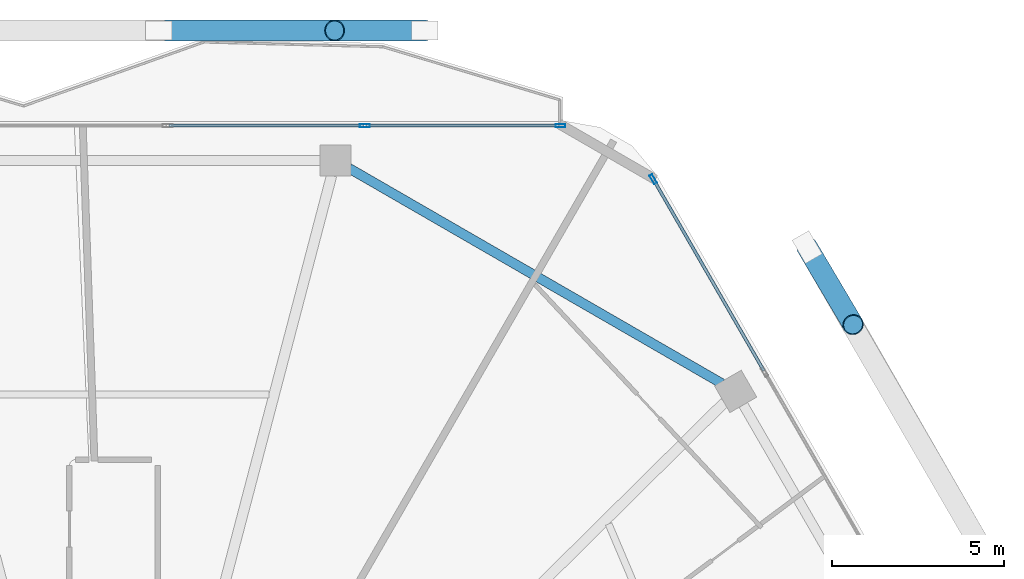
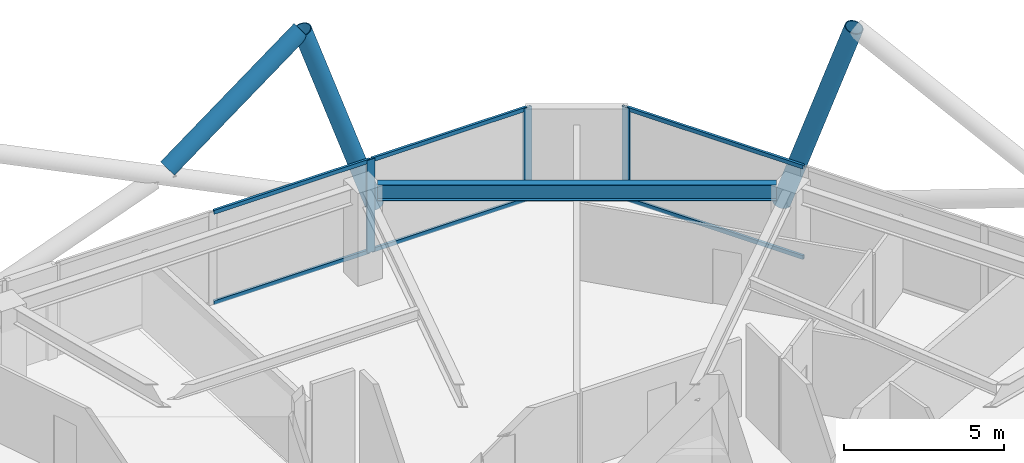
# One storey, part 18 of 26: 12 members, 1 beam, 2 elements without a shape of their own.
"""IFC4 building model written with IfcOpenShell, lengths in metres."""

import ifcopenshell
import ifcopenshell.guid

model = None  # the IFC model being written
_history = None  # IfcOwnerHistory: only IFC2X3 demands one
_inside = {}  # id of a spatial element -> (the spatial element, [elements in it])
_under = {}  # id of a project, library or spatial element -> (it, [spatial elements below it])
_declared = {}  # id of a project -> (the project, [libraries it declares])
_typed = {}  # id of a type object -> (the type object, [elements of that type])
_made_of = {}  # id of a material, layer set ... -> (it, [elements and type objects made of it])


def new_model(schema):
    """Start an empty IFC model of exactly this schema.

    Asked for "IFC4X3", IfcOpenShell would pick the latest addendum, in which some entities
    have other attributes; the version numbers below select the first issue.
    IFC2X3 requires an IfcOwnerHistory on every rooted entity: one is made here for all.
    """
    global model, _history
    if schema == "IFC4X3":
        model = ifcopenshell.file(schema_version=(4, 3, 0, 0))
    else:
        model = ifcopenshell.file(schema=schema)
    _inside.clear()
    _under.clear()
    _declared.clear()
    _typed.clear()
    _made_of.clear()
    _history = None
    if model.schema == "IFC2X3":
        org = make("IfcOrganization", Name="unknown")
        user = make(
            "IfcPersonAndOrganization",
            ThePerson=make("IfcPerson", FamilyName="unknown"),
            TheOrganization=org,
        )
        app = make(
            "IfcApplication",
            ApplicationDeveloper=org,
            Version="unknown",
            ApplicationFullName="unknown",
            ApplicationIdentifier="unknown",
        )
        _history = make(
            "IfcOwnerHistory",
            OwningUser=user,
            OwningApplication=app,
            ChangeAction="ADDED",
            CreationDate=0,
        )
    return model


def make(cls, **values):
    """One entity of the class cls with the attributes given. An attribute that is None is left unset."""
    return model.create_entity(
        cls, **{name: value for name, value in values.items() if value is not None}
    )


def rooted(cls, **values):
    """An entity with a GlobalId (a new one), such as an element, a storey or a relation."""
    return make(cls, GlobalId=ifcopenshell.guid.new(), OwnerHistory=_history, **values)


def si_unit(unit_type, name, prefix=None):
    """IfcSIUnit, for example si_unit("LENGTHUNIT", "METRE", prefix="MILLI")."""
    return make("IfcSIUnit", UnitType=unit_type, Prefix=prefix, Name=name)


def assignment(units):
    """IfcUnitAssignment: the units of a project."""
    return None if units is None else make("IfcUnitAssignment", Units=units)


def point(xyz):
    """IfcCartesianPoint."""
    return None if xyz is None else make("IfcCartesianPoint", Coordinates=xyz)


def direction(xyz):
    """IfcDirection."""
    return None if xyz is None else make("IfcDirection", DirectionRatios=xyz)


def frame(location, z_axis=None, x_axis=None):
    """IfcAxis2Placement3D, a coordinate frame: its origin and axes. An axis left out is left unset."""
    return make(
        "IfcAxis2Placement3D",
        Location=point(location),
        Axis=direction(z_axis),
        RefDirection=direction(x_axis),
    )


def frame_2d(location, x_axis=None):
    """IfcAxis2Placement2D, a coordinate frame in the plane: its origin and x axis."""
    return make(
        "IfcAxis2Placement2D", Location=point(location), RefDirection=direction(x_axis)
    )


def origin():
    """The frame at (0, 0, 0) with its axes left unset."""
    return frame((0.0, 0.0, 0.0))


def origin_2d():
    """The frame at (0, 0) in the plane with its x axis left unset."""
    return frame_2d((0.0, 0.0))


def place(relative_to, where):
    """IfcLocalPlacement: puts the frame where relative to a parent placement (None: the world)."""
    return make(
        "IfcLocalPlacement", PlacementRelTo=relative_to, RelativePlacement=where
    )


def context(
    kind, dimensions, precision=None, world=None, true_north=None, identifier=None
):
    """IfcGeometricRepresentationContext, for example the 3D "Model" context."""
    return make(
        "IfcGeometricRepresentationContext",
        ContextIdentifier=identifier,
        ContextType=kind,
        CoordinateSpaceDimension=dimensions,
        Precision=precision,
        WorldCoordinateSystem=world,
        TrueNorth=true_north,
    )


def subcontext(parent, identifier, kind, view, scale=None):
    """IfcGeometricRepresentationSubContext, for example "Body" below "Model"."""
    return make(
        "IfcGeometricRepresentationSubContext",
        ContextIdentifier=identifier,
        ContextType=kind,
        ParentContext=parent,
        TargetScale=scale,
        TargetView=view,
    )


def project(units=None, contexts=None):
    """IfcProject with its units and contexts."""
    return rooted(
        "IfcProject",
        Name="project",
        RepresentationContexts=contexts,
        UnitsInContext=assignment(units),
    )


def spatial(cls, under=None, at=None, **own):
    """A site, building, storey or space (cls), placed at a placement, below another one or the project."""
    s = rooted(cls, ObjectPlacement=at, **own)
    if under is not None:
        _under.setdefault(under.id(), (under, []))[1].append(s)
    return s


def profile(cls, at=None, kind="AREA", **sizes):
    """A parametric profile (cls). Its sizes go by their IFC names, for example OverallWidth=200.0."""
    return make(cls, ProfileType=kind, Position=at, **sizes)


def hollow_rectangle(**sizes):
    """IfcRectangleHollowProfileDef."""
    return profile("IfcRectangleHollowProfileDef", **sizes)


def hollow_circle(**sizes):
    """IfcCircleHollowProfileDef."""
    return profile("IfcCircleHollowProfileDef", **sizes)


def i_section(**sizes):
    """IfcIShapeProfileDef."""
    return profile("IfcIShapeProfileDef", **sizes)


def extrude(swept, where, along, depth):
    """IfcExtrudedAreaSolid: the profile swept, set in the frame where, extruded along a direction by depth."""
    return make(
        "IfcExtrudedAreaSolid",
        SweptArea=swept,
        Position=where,
        ExtrudedDirection=direction(along),
        Depth=depth,
    )


def shape(context_of_items, identifier, shape_type, items):
    """IfcShapeRepresentation: the items that make up one representation, for example the "Body"."""
    return make(
        "IfcShapeRepresentation",
        ContextOfItems=context_of_items,
        RepresentationIdentifier=identifier,
        RepresentationType=shape_type,
        Items=items,
    )


def material(Name=None, Category=None):
    """IfcMaterial."""
    return make("IfcMaterial", Name=Name, Category=Category)


def material_profile(
    of_material, cross_section, Name=None, Category=None, Priority=None
):
    """IfcMaterialProfile: a cross section and its material."""
    return make(
        "IfcMaterialProfile",
        Name=Name,
        Material=of_material,
        Profile=cross_section,
        Priority=Priority,
        Category=Category,
    )


def profile_set(profiles, Name=None, composite=None):
    """IfcMaterialProfileSet."""
    return make(
        "IfcMaterialProfileSet",
        Name=Name,
        MaterialProfiles=profiles,
        CompositeProfile=composite,
    )


def made_of(thing, what):
    """Note that an element or type object is made of a material, layer set ...; save() writes the relation."""
    if what is not None:
        _made_of.setdefault(what.id(), (what, []))[1].append(thing)
    return thing


def type_object(cls, material=None, **own):
    """A type object (cls), such as IfcWallType, which elements share."""
    return made_of(rooted(cls, **own), material)


def element(
    cls,
    number,
    at=None,
    inside=None,
    cuts=None,
    type_object=None,
    material=None,
    context=None,
    identifier="Body",
    shape_type=None,
    held_by="IfcProductDefinitionShape",
    body=None,
    shapes=None,
    **own,
):
    """One element of the class cls, such as IfcWall. Its Tag is "e" and its number.

    at: its placement. inside: the storey or other place that contains it. cuts: it is an
    opening in that element (IfcRelVoidsElement). A single representation is given by context,
    identifier, shape_type and body (its items); several are given by shapes. held_by: the class
    of the entity that holds the representations. save() writes the other relations.
    """
    e = rooted(cls, Tag="e%d" % number, ObjectPlacement=at, **own)
    if body is not None:
        shapes = [shape(context, identifier, shape_type, body)]
    if shapes is not None:
        e.Representation = make(held_by, Representations=shapes)
    if inside is not None:
        _inside.setdefault(inside.id(), (inside, []))[1].append(e)
    if cuts is not None:
        rooted(
            "IfcRelVoidsElement", RelatingBuildingElement=cuts, RelatedOpeningElement=e
        )
    if type_object is not None:
        _typed.setdefault(type_object.id(), (type_object, []))[1].append(e)
    return made_of(e, material)


def aggregate(whole, parts):
    """IfcRelAggregates: a whole, such as a stair, and the parts it consists of."""
    return rooted("IfcRelAggregates", RelatingObject=whole, RelatedObjects=parts)


def save(model, path):
    """Write the relations noted so far, then the file.

    IfcRelAggregates (storeys below a building ...), IfcRelContainedInSpatialStructure (elements
    in a storey), IfcRelDefinesByType, IfcRelAssociatesMaterial and IfcRelDeclares: one each for
    every whole, place, type object, material and project.
    """
    for whole, parts in _under.values():
        aggregate(whole, parts)
    for where, things in _inside.values():
        rooted(
            "IfcRelContainedInSpatialStructure",
            RelatedElements=things,
            RelatingStructure=where,
        )
    for kind, things in _typed.values():
        rooted("IfcRelDefinesByType", RelatedObjects=things, RelatingType=kind)
    for what, things in _made_of.values():
        rooted("IfcRelAssociatesMaterial", RelatedObjects=things, RelatingMaterial=what)
    for by, libraries in _declared.values():
        rooted("IfcRelDeclares", RelatingContext=by, RelatedDefinitions=libraries)
    model.write(path)


model = new_model("IFC4")

# Units and contexts
model_context = context("Model", 3, precision=1e-05, world=origin(), true_north=direction((0.0, 1.0)))
body_context = subcontext(model_context, "Body", "Model", "MODEL_VIEW")
ifc_project = project(units=[si_unit("LENGTHUNIT", "METRE"), si_unit("AREAUNIT", "SQUARE_METRE"), si_unit("VOLUMEUNIT", "CUBIC_METRE"), si_unit("PLANEANGLEUNIT", "RADIAN"), si_unit("MASSUNIT", "GRAM", prefix="KILO")], contexts=[model_context])

# Site, building, storey
site_placement = place(None, origin())
site = spatial("IfcSite", under=ifc_project, at=site_placement, CompositionType="ELEMENT")
building_placement = place(site_placement, origin())
building = spatial("IfcBuilding", under=site, at=building_placement, Name="Zuhravey Tower", CompositionType="ELEMENT")
storey_placement = place(building_placement, frame((0.0, 0.0, 231.199951171875)))
storey = spatial("IfcBuildingStorey", under=building, at=storey_placement, Name="L58", CompositionType="ELEMENT", Elevation=231.199951171875)

# Curtain wall, members
ifc_material_1 = material(Name="Thermally broken anodised aluminium", Category="aluminium")
curtain_wall_type = type_object("IfcCurtainWallType", Name="Zone 3-4 High-Rise Curtain Wall CW4", PredefinedType="NOTDEFINED", material=ifc_material_1)
curtain_wall_1_placement = place(storey_placement, origin())
curtain_wall_1 = element("IfcCurtainWall", 1, at=curtain_wall_1_placement, inside=storey, type_object=curtain_wall_type, Name="L58 CW4 CW-L58-F2-2", PredefinedType="NOTDEFINED")
ifc_material_2 = material(Name="Anodised aluminium", Category="aluminium")
ifc_material_profile_1 = material_profile(ifc_material_2, hollow_rectangle(XDim=0.090087890625, YDim=0.284912109375, WallThickness=0.0048828125, at=origin_2d()), Name="ALU-RHS-90x285x5")
ifc_profile_set_1 = profile_set([ifc_material_profile_1], Name="Anodised aluminium")
member_type_1 = type_object("IfcMemberType", Name="Curtain-Wall Mullion 90x180", PredefinedType="MULLION", material=ifc_profile_set_1)
member_1_placement = place(storey_placement, frame((43.29150390625, 57.563720703125, 0.0), z_axis=(0.0, 0.0, 1.0), x_axis=(0.0, 1.0, 0.0)))
member_1 = element("IfcMember", 2, at=member_1_placement, type_object=member_type_1, Name="CW4 mullion 3", PredefinedType="MULLION", context=body_context, shape_type="SweptSolid", body=[
    extrude(hollow_rectangle(XDim=0.090087890625, YDim=0.284912109375, WallThickness=0.0048828125, at=origin_2d()), origin(), (0.0, 0.0, 1.0), 3.550048828125),
])
member_2_placement = place(storey_placement, frame((48.9677734375, 57.563720703125, 0.0), z_axis=(0.0, 0.0, 1.0), x_axis=(0.0, 1.0, 0.0)))
member_2 = element("IfcMember", 3, at=member_2_placement, type_object=member_type_1, Name="CW4 mullion 4", PredefinedType="MULLION", context=body_context, shape_type="SweptSolid", body=[
    extrude(hollow_rectangle(XDim=0.090087890625, YDim=0.284912109375, WallThickness=0.0048828125, at=origin_2d()), origin(), (0.0, 0.0, 1.0), 3.550048828125),
])

# Curtain wall, member
curtain_wall_2_placement = place(storey_placement, origin())
curtain_wall_2 = element("IfcCurtainWall", 4, at=curtain_wall_2_placement, inside=storey, type_object=curtain_wall_type, Name="L58 CW4 CW-L58-F1-1", PredefinedType="NOTDEFINED")
member_3_placement = place(storey_placement, frame((51.65478515625, 56.01220703125, 0.0), z_axis=(0.0, 0.0, 1.0), x_axis=(0.866024851021, 0.500000957414, 0.0)))
member_3 = element("IfcMember", 5, at=member_3_placement, type_object=member_type_1, Name="CW4 mullion 1", PredefinedType="MULLION", context=body_context, shape_type="SweptSolid", body=[
    extrude(hollow_rectangle(XDim=0.090087890625, YDim=0.284912109375, WallThickness=0.0048828125, at=origin_2d()), origin(), (0.0, 0.0, 1.0), 3.550048828125),
])

# Member
ifc_material_profile_2 = material_profile(ifc_material_2, hollow_rectangle(XDim=0.090087890625, YDim=0.14990234375, WallThickness=0.0048828125, at=origin_2d()), Name="ALU-RHS-90x150x5")
ifc_profile_set_2 = profile_set([ifc_material_profile_2], Name="Anodised aluminium")
member_type_2 = type_object("IfcMemberType", Name="Curtain-Wall Transom 90x150", PredefinedType="USERDEFINED", material=ifc_profile_set_2)
member_4_placement = place(storey_placement, frame((37.615234375, 57.563720703125, 0.045166015625), z_axis=(1.0, 0.0, 0.0), x_axis=(0.0, 1.0, 0.0)))
member_4 = element("IfcMember", 6, at=member_4_placement, type_object=member_type_2, Name="CW4 transom 2.1", ObjectType="TRANSOM", PredefinedType="USERDEFINED", context=body_context, shape_type="SweptSolid", body=[
    extrude(hollow_rectangle(XDim=0.090087890625, YDim=0.14990234375, WallThickness=0.0048828125, at=origin_2d()), origin(), (0.0, 0.0, 1.0), 5.63134765625),
])

member_5_placement = place(storey_placement, frame((37.615234375, 57.563720703125, 3.505126953125), z_axis=(1.0, 0.0, 0.0), x_axis=(0.0, 1.0, 0.0)))
member_5 = element("IfcMember", 7, at=member_5_placement, type_object=member_type_2, Name="CW4 transom 2.2", ObjectType="TRANSOM", PredefinedType="USERDEFINED", context=body_context, shape_type="SweptSolid", body=[
    extrude(hollow_rectangle(XDim=0.090087890625, YDim=0.14990234375, WallThickness=0.0048828125, at=origin_2d()), origin(), (0.0, 0.0, 1.0), 5.63134765625),
])

member_6_placement = place(storey_placement, frame((43.33642578125, 57.563720703125, 0.045166015625), z_axis=(1.0, 0.0, 0.0), x_axis=(0.0, 1.0, 0.0)))
member_6 = element("IfcMember", 8, at=member_6_placement, type_object=member_type_2, Name="CW4 transom 3.1", ObjectType="TRANSOM", PredefinedType="USERDEFINED", context=body_context, shape_type="SweptSolid", body=[
    extrude(hollow_rectangle(XDim=0.090087890625, YDim=0.14990234375, WallThickness=0.0048828125, at=origin_2d()), origin(), (0.0, 0.0, 1.0), 5.586181640625),
])

member_7_placement = place(storey_placement, frame((43.33642578125, 57.563720703125, 3.505126953125), z_axis=(1.0, 0.0, 0.0), x_axis=(0.0, 1.0, 0.0)))
member_7 = element("IfcMember", 9, at=member_7_placement, type_object=member_type_2, Name="CW4 transom 3.2", ObjectType="TRANSOM", PredefinedType="USERDEFINED", context=body_context, shape_type="SweptSolid", body=[
    extrude(hollow_rectangle(XDim=0.090087890625, YDim=0.14990234375, WallThickness=0.0048828125, at=origin_2d()), origin(), (0.0, 0.0, 1.0), 5.586181640625),
])

aggregate(curtain_wall_1, [member_1, member_2, member_4, member_5, member_6, member_7])

member_8_placement = place(storey_placement, frame((51.677490234375, 55.97314453125, 0.045166015625), z_axis=(0.499980071345, -0.866036909293, 0.0), x_axis=(0.866036909293, 0.499980071345, 0.0)))
member_8 = element("IfcMember", 10, at=member_8_placement, type_object=member_type_2, Name="CW4 transom 1.1", ObjectType="TRANSOM", PredefinedType="USERDEFINED", context=body_context, shape_type="SweptSolid", body=[
    extrude(hollow_rectangle(XDim=0.090087890625, YDim=0.14990234375, WallThickness=0.0048828125, at=origin_2d()), origin(), (0.0, 0.0, 1.0), 6.371337890625),
])

member_9_placement = place(storey_placement, frame((51.677490234375, 55.97314453125, 3.505126953125), z_axis=(0.499980071345, -0.866036909293, 0.0), x_axis=(0.866036909293, 0.499980071345, 0.0)))
member_9 = element("IfcMember", 11, at=member_9_placement, type_object=member_type_2, Name="CW4 transom 1.2", ObjectType="TRANSOM", PredefinedType="USERDEFINED", context=body_context, shape_type="SweptSolid", body=[
    extrude(hollow_rectangle(XDim=0.090087890625, YDim=0.14990234375, WallThickness=0.0048828125, at=origin_2d()), origin(), (0.0, 0.0, 1.0), 6.371337890625),
])

aggregate(curtain_wall_2, [member_3, member_8, member_9])

# Members
ifc_material_3 = material(Name="Steel SM355", Category="steel")
ifc_material_profile_3 = material_profile(ifc_material_3, hollow_circle(Radius=0.3046875, WallThickness=0.028076171875, at=origin_2d()), Name="CHS-609.6x28")
ifc_profile_set_3 = profile_set([ifc_material_profile_3], Name="Steel SM355")
member_type_3 = type_object("IfcMemberType", Name="Exoskeleton Zone 3 Diagrid CHS610x28", PredefinedType="BRACE", material=ifc_profile_set_3)
for number, where, z_axis, x_axis, name in (
    (12, (56.12158203125, 54.03564453125, -0.446044921875), (0.166258751758, -0.280494899048, 0.945346835332), (0.860238328743, 0.509892162876, 0.0), "L58 Face 1 Diagrid Brace 4"),
    (13, (45.022705078125, 60.323486328125, -0.446044921875), (-0.326050863539, 0.0, 0.945352227683), (0.0, -1.0, 0.0), "L58 Face 2 Diagrid Brace 1"),
):
    element("IfcMember", number, at=place(storey_placement, frame(where, z_axis=z_axis, x_axis=x_axis)), inside=storey, type_object=member_type_3, Name=name, PredefinedType="BRACE", context=body_context, shape_type="SweptSolid", body=[
        extrude(hollow_circle(Radius=0.3046875, WallThickness=0.028076171875, at=origin_2d()), origin(), (0.0, 0.0, 1.0), 8.00146484375),
    ])
member_10_placement = place(storey_placement, frame((37.547119140625, 60.323486328125, 3.512451171875), z_axis=(0.801733500904, 0.0, 0.597681682444), x_axis=(0.0, 1.0, 0.0)))
element("IfcMember", 14, at=member_10_placement, inside=storey, type_object=member_type_3, Name="L58 Face 2 Split Diagrid Brace 3B", PredefinedType="BRACE", context=body_context, shape_type="SweptSolid", body=[
    extrude(hollow_circle(Radius=0.3046875, WallThickness=0.028076171875, at=origin_2d()), origin(), (0.0, 0.0, 1.0), 6.021728515625),
])

# Beam
ifc_material_profile_4 = material_profile(ifc_material_3, i_section(OverallWidth=0.280029296875, OverallDepth=0.6201171875, WebThickness=0.011962890625, FlangeThickness=0.02001953125, at=origin_2d()), Name="H-620x280x12x20")
ifc_profile_set_4 = profile_set([ifc_material_profile_4], Name="Steel SM355")
beam_type = type_object("IfcBeamType", Name="Perimeter Ring Beam H620x280", PredefinedType="BEAM", material=ifc_profile_set_4)
beam_placement = place(storey_placement, frame((53.6513671875, 50.081298828125, 3.239990234375), z_axis=(-0.866025131093, 0.500000472315, 0.0), x_axis=(-0.500000472315, -0.866025131093, 0.0)))
element("IfcBeam", 15, at=beam_placement, inside=storey, type_object=beam_type, Name="L58 PB3 BM-L58-PB-02", PredefinedType="BEAM", context=body_context, shape_type="SweptSolid", body=[
    extrude(i_section(OverallWidth=0.280029296875, OverallDepth=0.6201171875, WebThickness=0.011962890625, FlangeThickness=0.02001953125, at=origin_2d()), origin(), (0.0, 0.0, 1.0), 12.49169921875),
])

save(model, "model.ifc")
